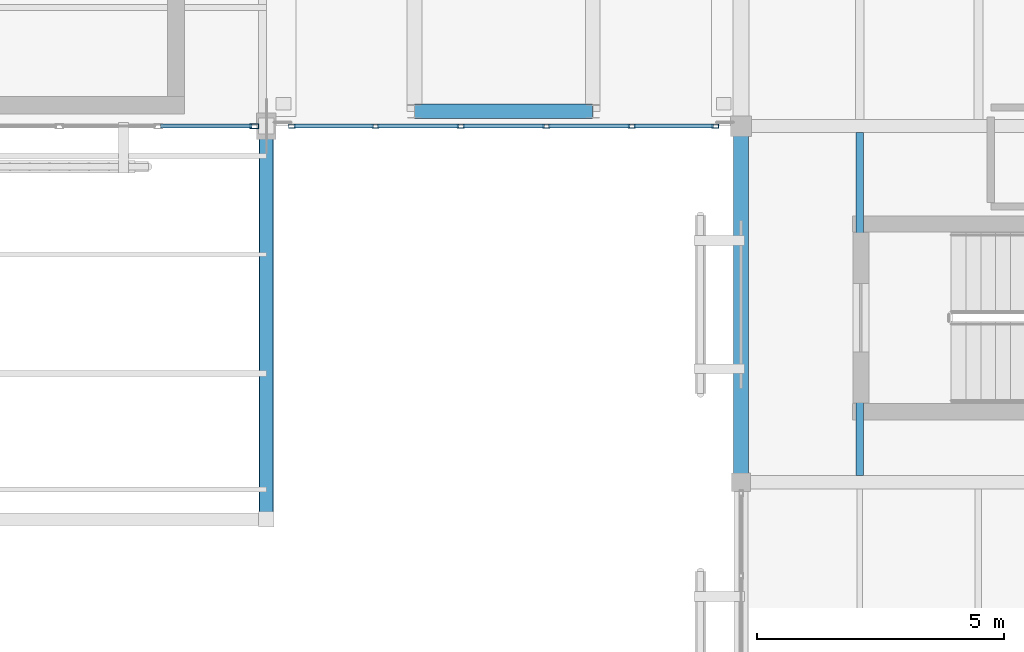
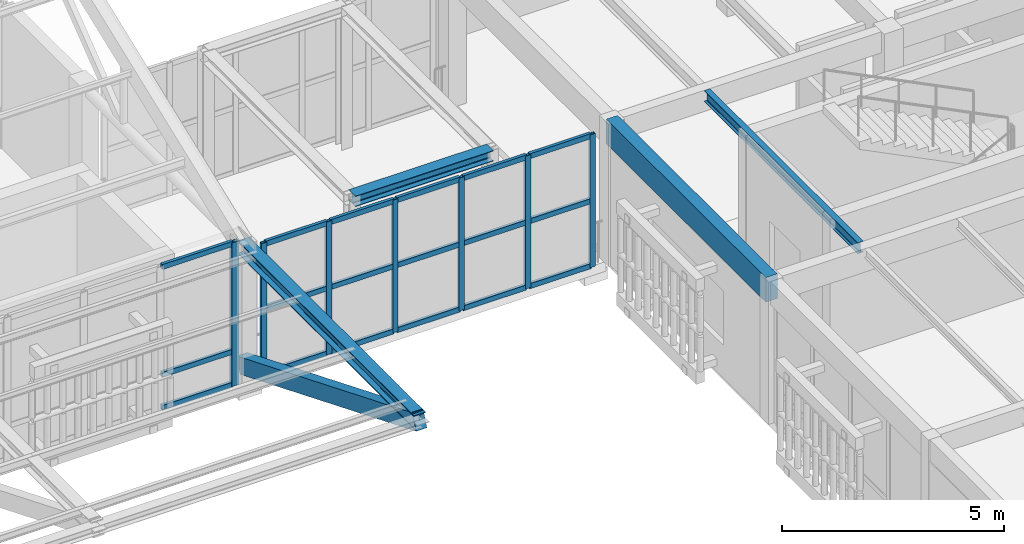
# One storey, part 97 of 217: 27 members, 3 beams, 2 elements without a shape of their own.
"""IFC4 building model written with IfcOpenShell, lengths in metres."""

from ifc_helpers import new_model, si_unit, direction, frame, origin, origin_2d, place, context, subcontext, project, spatial, rectangle, hollow_rectangle, i_section, extrude, material, layer, layer_set, material_profile, profile_set, type_object, element, aggregate, save


model = new_model("IFC4")

# Units and contexts
model_context = context("Model", 3, precision=1e-05, world=origin(), true_north=direction((0.0, 1.0)))
body_context = subcontext(model_context, "Body", "Model", "MODEL_VIEW")
ifc_project = project(units=[si_unit("LENGTHUNIT", "METRE"), si_unit("AREAUNIT", "SQUARE_METRE"), si_unit("VOLUMEUNIT", "CUBIC_METRE"), si_unit("PLANEANGLEUNIT", "RADIAN"), si_unit("MASSUNIT", "GRAM", prefix="KILO")], contexts=[model_context])

# Site, building, storey
site_placement = place(None, origin())
site = spatial("IfcSite", under=ifc_project, at=site_placement, CompositionType="ELEMENT")
building_placement = place(site_placement, origin())
building = spatial("IfcBuilding", under=site, at=building_placement, Name="Mazaris Harbour Polytechnic", CompositionType="ELEMENT")
storey_placement = place(building_placement, frame((0.0, 0.0, 9.60009765625)))
storey = spatial("IfcBuildingStorey", under=building, at=storey_placement, Name="L02", CompositionType="ELEMENT", Elevation=9.60009765625)

# Curtain wall, member
ifc_material_1 = material(Name="Anodised Bronze Aluminium and Low-E Glass", Category="aluminium")
ifc_layer_1 = layer(ifc_material_1, 0.14990234375, Name="Anodised Bronze Aluminium and Low-E Glass")
ifc_layer_set_1 = layer_set([ifc_layer_1], Name="Anodised Bronze Aluminium and Low-E Glass")
curtain_wall_type_1 = type_object("IfcCurtainWallType", Name="Workshop Clerestory Curtain Wall", PredefinedType="NOTDEFINED", material=ifc_layer_set_1)
curtain_wall_1_placement = place(storey_placement, origin())
curtain_wall_1 = element("IfcCurtainWall", 1, at=curtain_wall_1_placement, inside=storey, type_object=curtain_wall_type_1, Name="V1 L02 Curtain Wall 28", PredefinedType="NOTDEFINED")
ifc_material_2 = material(Name="Anodised Bronze Steel S355", Category="steel")
ifc_material_profile_1 = material_profile(ifc_material_2, hollow_rectangle(XDim=0.10009765625, YDim=0.179931640625, WallThickness=0.008056640625, at=origin_2d()), Name="RHS 100x180x8.0")
ifc_profile_set_1 = profile_set([ifc_material_profile_1], Name="Anodised Bronze Steel S355")
member_type_1 = type_object("IfcMemberType", Name="Curtain Mullion RHS100x180", PredefinedType="MULLION", material=ifc_profile_set_1)
member_1_placement = place(storey_placement, frame((112.55810546875, 75.60009765625, 0.0), z_axis=(0.0, 0.0, 1.0), x_axis=(0.0, -1.0, 0.0)))
member_1 = element("IfcMember", 2, at=member_1_placement, type_object=member_type_1, Name="CW-04 mullion 1", PredefinedType="MULLION", context=body_context, shape_type="SweptSolid", body=[
    extrude(hollow_rectangle(XDim=0.10009765625, YDim=0.179931640625, WallThickness=0.008056640625, at=origin_2d()), origin(), (0.0, 0.0, 1.0), 3.9599609375),
])

# Curtain wall, members
ifc_material_3 = material(Name="Anodised Bronze Aluminium and Low-E Glass", Category="aluminium")
ifc_layer_2 = layer(ifc_material_3, 0.139892578125, Name="Anodised Bronze Aluminium and Low-E Glass")
ifc_layer_set_2 = layer_set([ifc_layer_2], Name="Anodised Bronze Aluminium and Low-E Glass")
curtain_wall_type_2 = type_object("IfcCurtainWallType", Name="Seismic Link Bridge Glazing", PredefinedType="NOTDEFINED", material=ifc_layer_set_2)
curtain_wall_2_placement = place(storey_placement, origin())
curtain_wall_2 = element("IfcCurtainWall", 3, at=curtain_wall_2_placement, inside=storey, type_object=curtain_wall_type_2, Name="PB-E2 L02 Bridge Glazing", PredefinedType="NOTDEFINED")
ifc_material_4 = material(Name="Anodised Bronze Steel S355", Category="steel")
ifc_material_profile_2 = material_profile(ifc_material_4, hollow_rectangle(XDim=0.080078125, YDim=0.139892578125, WallThickness=0.00634765625, at=origin_2d()), Name="RHS 80x140x6.3")
ifc_profile_set_2 = profile_set([ifc_material_profile_2], Name="Anodised Bronze Steel S355")
member_type_2 = type_object("IfcMemberType", Name="Curtain Mullion RHS80x140", PredefinedType="MULLION", material=ifc_profile_set_2)
member_2_placement = place(storey_placement, frame((113.320068359375, 75.60009765625, 0.0), z_axis=(0.0, 0.0, 1.0), x_axis=(0.0, 1.0, 0.0)))
member_2 = element("IfcMember", 4, at=member_2_placement, type_object=member_type_2, Name="CW-05 mullion 1", PredefinedType="MULLION", context=body_context, shape_type="SweptSolid", body=[
    extrude(hollow_rectangle(XDim=0.080078125, YDim=0.139892578125, WallThickness=0.00634765625, at=origin_2d()), origin(), (0.0, 0.0, 1.0), 3.659912109375),
])
member_3_placement = place(storey_placement, frame((115.008056640625, 75.60009765625, 0.0), z_axis=(0.0, 0.0, 1.0), x_axis=(0.0, 1.0, 0.0)))
member_3 = element("IfcMember", 5, at=member_3_placement, type_object=member_type_2, Name="CW-05 mullion 2", PredefinedType="MULLION", context=body_context, shape_type="SweptSolid", body=[
    extrude(hollow_rectangle(XDim=0.080078125, YDim=0.139892578125, WallThickness=0.00634765625, at=origin_2d()), origin(), (0.0, 0.0, 1.0), 3.659912109375),
])
member_4_placement = place(storey_placement, frame((116.736083984375, 75.60009765625, 0.0), z_axis=(0.0, 0.0, 1.0), x_axis=(0.0, 1.0, 0.0)))
member_4 = element("IfcMember", 6, at=member_4_placement, type_object=member_type_2, Name="CW-05 mullion 3", PredefinedType="MULLION", context=body_context, shape_type="SweptSolid", body=[
    extrude(hollow_rectangle(XDim=0.080078125, YDim=0.139892578125, WallThickness=0.00634765625, at=origin_2d()), origin(), (0.0, 0.0, 1.0), 3.659912109375),
])
member_5_placement = place(storey_placement, frame((118.464111328125, 75.60009765625, 0.0), z_axis=(0.0, 0.0, 1.0), x_axis=(0.0, 1.0, 0.0)))
member_5 = element("IfcMember", 7, at=member_5_placement, type_object=member_type_2, Name="CW-05 mullion 4", PredefinedType="MULLION", context=body_context, shape_type="SweptSolid", body=[
    extrude(hollow_rectangle(XDim=0.080078125, YDim=0.139892578125, WallThickness=0.00634765625, at=origin_2d()), origin(), (0.0, 0.0, 1.0), 3.659912109375),
])
member_6_placement = place(storey_placement, frame((120.19189453125, 75.60009765625, 0.0), z_axis=(0.0, 0.0, 1.0), x_axis=(0.0, 1.0, 0.0)))
member_6 = element("IfcMember", 8, at=member_6_placement, type_object=member_type_2, Name="CW-05 mullion 5", PredefinedType="MULLION", context=body_context, shape_type="SweptSolid", body=[
    extrude(hollow_rectangle(XDim=0.080078125, YDim=0.139892578125, WallThickness=0.00634765625, at=origin_2d()), origin(), (0.0, 0.0, 1.0), 3.659912109375),
])
member_7_placement = place(storey_placement, frame((121.8798828125, 75.60009765625, 0.0), z_axis=(0.0, 0.0, 1.0), x_axis=(0.0, 1.0, 0.0)))
member_7 = element("IfcMember", 9, at=member_7_placement, type_object=member_type_2, Name="CW-05 mullion 6", PredefinedType="MULLION", context=body_context, shape_type="SweptSolid", body=[
    extrude(hollow_rectangle(XDim=0.080078125, YDim=0.139892578125, WallThickness=0.00634765625, at=origin_2d()), origin(), (0.0, 0.0, 1.0), 3.659912109375),
])

# Member
ifc_material_5 = material(Name="Anodised Bronze Steel S355", Category="steel")
ifc_material_profile_3 = material_profile(ifc_material_5, hollow_rectangle(XDim=0.080078125, YDim=0.139892578125, WallThickness=0.00634765625, at=origin_2d()), Name="RHS 80x140x6.3")
ifc_profile_set_3 = profile_set([ifc_material_profile_3], Name="Anodised Bronze Steel S355")
member_type_3 = type_object("IfcMemberType", Name="Curtain Transom RHS80x140", PredefinedType="USERDEFINED", material=ifc_profile_set_3)
member_8_placement = place(storey_placement, frame((112.508056640625, 75.60009765625, 0.039794921875), z_axis=(-1.0, 0.0, 0.0), x_axis=(0.0, -1.0, 0.0)))
member_8 = element("IfcMember", 10, at=member_8_placement, type_object=member_type_3, Name="CW-04 transom 1.1", ObjectType="TRANSOM", PredefinedType="USERDEFINED", context=body_context, shape_type="SweptSolid", body=[
    extrude(hollow_rectangle(XDim=0.080078125, YDim=0.139892578125, WallThickness=0.00634765625, at=origin_2d()), origin(), (0.0, 0.0, 1.0), 1.846435546875),
])

member_9_placement = place(storey_placement, frame((112.508056640625, 75.60009765625, 0.949951171875), z_axis=(-1.0, 0.0, 0.0), x_axis=(0.0, -1.0, 0.0)))
member_9 = element("IfcMember", 11, at=member_9_placement, type_object=member_type_3, Name="CW-04 transom 1.2", ObjectType="TRANSOM", PredefinedType="USERDEFINED", context=body_context, shape_type="SweptSolid", body=[
    extrude(hollow_rectangle(XDim=0.080078125, YDim=0.139892578125, WallThickness=0.00634765625, at=origin_2d()), origin(), (0.0, 0.0, 1.0), 1.846435546875),
])

member_10_placement = place(storey_placement, frame((112.508056640625, 75.60009765625, 3.919921875), z_axis=(-1.0, 0.0, 0.0), x_axis=(0.0, -1.0, 0.0)))
member_10 = element("IfcMember", 12, at=member_10_placement, type_object=member_type_3, Name="CW-04 transom 1.3", ObjectType="TRANSOM", PredefinedType="USERDEFINED", context=body_context, shape_type="SweptSolid", body=[
    extrude(hollow_rectangle(XDim=0.080078125, YDim=0.139892578125, WallThickness=0.00634765625, at=origin_2d()), origin(), (0.0, 0.0, 1.0), 1.846435546875),
])

aggregate(curtain_wall_1, [member_1, member_8, member_9, member_10])

member_11_placement = place(storey_placement, frame((113.360107421875, 75.60009765625, 0.039794921875), z_axis=(1.0, 0.0, 0.0), x_axis=(0.0, 1.0, 0.0)))
member_11 = element("IfcMember", 13, at=member_11_placement, type_object=member_type_3, Name="CW-05 transom 1.1", ObjectType="TRANSOM", PredefinedType="USERDEFINED", context=body_context, shape_type="SweptSolid", body=[
    extrude(hollow_rectangle(XDim=0.080078125, YDim=0.139892578125, WallThickness=0.00634765625, at=origin_2d()), origin(), (0.0, 0.0, 1.0), 1.60791015625),
])

member_12_placement = place(storey_placement, frame((113.360107421875, 75.60009765625, 1.829833984375), z_axis=(1.0, 0.0, 0.0), x_axis=(0.0, 1.0, 0.0)))
member_12 = element("IfcMember", 14, at=member_12_placement, type_object=member_type_3, Name="CW-05 transom 1.2", ObjectType="TRANSOM", PredefinedType="USERDEFINED", context=body_context, shape_type="SweptSolid", body=[
    extrude(hollow_rectangle(XDim=0.080078125, YDim=0.139892578125, WallThickness=0.00634765625, at=origin_2d()), origin(), (0.0, 0.0, 1.0), 1.60791015625),
])

member_13_placement = place(storey_placement, frame((113.360107421875, 75.60009765625, 3.619873046875), z_axis=(1.0, 0.0, 0.0), x_axis=(0.0, 1.0, 0.0)))
member_13 = element("IfcMember", 15, at=member_13_placement, type_object=member_type_3, Name="CW-05 transom 1.3", ObjectType="TRANSOM", PredefinedType="USERDEFINED", context=body_context, shape_type="SweptSolid", body=[
    extrude(hollow_rectangle(XDim=0.080078125, YDim=0.139892578125, WallThickness=0.00634765625, at=origin_2d()), origin(), (0.0, 0.0, 1.0), 1.60791015625),
])

member_14_placement = place(storey_placement, frame((115.048095703125, 75.60009765625, 0.039794921875), z_axis=(1.0, 0.0, 0.0), x_axis=(0.0, 1.0, 0.0)))
member_14 = element("IfcMember", 16, at=member_14_placement, type_object=member_type_3, Name="CW-05 transom 2.1", ObjectType="TRANSOM", PredefinedType="USERDEFINED", context=body_context, shape_type="SweptSolid", body=[
    extrude(hollow_rectangle(XDim=0.080078125, YDim=0.139892578125, WallThickness=0.00634765625, at=origin_2d()), origin(), (0.0, 0.0, 1.0), 1.64794921875),
])

member_15_placement = place(storey_placement, frame((115.048095703125, 75.60009765625, 1.829833984375), z_axis=(1.0, 0.0, 0.0), x_axis=(0.0, 1.0, 0.0)))
member_15 = element("IfcMember", 17, at=member_15_placement, type_object=member_type_3, Name="CW-05 transom 2.2", ObjectType="TRANSOM", PredefinedType="USERDEFINED", context=body_context, shape_type="SweptSolid", body=[
    extrude(hollow_rectangle(XDim=0.080078125, YDim=0.139892578125, WallThickness=0.00634765625, at=origin_2d()), origin(), (0.0, 0.0, 1.0), 1.64794921875),
])

member_16_placement = place(storey_placement, frame((115.048095703125, 75.60009765625, 3.619873046875), z_axis=(1.0, 0.0, 0.0), x_axis=(0.0, 1.0, 0.0)))
member_16 = element("IfcMember", 18, at=member_16_placement, type_object=member_type_3, Name="CW-05 transom 2.3", ObjectType="TRANSOM", PredefinedType="USERDEFINED", context=body_context, shape_type="SweptSolid", body=[
    extrude(hollow_rectangle(XDim=0.080078125, YDim=0.139892578125, WallThickness=0.00634765625, at=origin_2d()), origin(), (0.0, 0.0, 1.0), 1.64794921875),
])

member_17_placement = place(storey_placement, frame((116.77587890625, 75.60009765625, 0.039794921875), z_axis=(1.0, 0.0, 0.0), x_axis=(0.0, 1.0, 0.0)))
member_17 = element("IfcMember", 19, at=member_17_placement, type_object=member_type_3, Name="CW-05 transom 3.1", ObjectType="TRANSOM", PredefinedType="USERDEFINED", context=body_context, shape_type="SweptSolid", body=[
    extrude(hollow_rectangle(XDim=0.080078125, YDim=0.139892578125, WallThickness=0.00634765625, at=origin_2d()), origin(), (0.0, 0.0, 1.0), 1.648193359375),
])

member_18_placement = place(storey_placement, frame((116.77587890625, 75.60009765625, 1.829833984375), z_axis=(1.0, 0.0, 0.0), x_axis=(0.0, 1.0, 0.0)))
member_18 = element("IfcMember", 20, at=member_18_placement, type_object=member_type_3, Name="CW-05 transom 3.2", ObjectType="TRANSOM", PredefinedType="USERDEFINED", context=body_context, shape_type="SweptSolid", body=[
    extrude(hollow_rectangle(XDim=0.080078125, YDim=0.139892578125, WallThickness=0.00634765625, at=origin_2d()), origin(), (0.0, 0.0, 1.0), 1.648193359375),
])

member_19_placement = place(storey_placement, frame((116.77587890625, 75.60009765625, 3.619873046875), z_axis=(1.0, 0.0, 0.0), x_axis=(0.0, 1.0, 0.0)))
member_19 = element("IfcMember", 21, at=member_19_placement, type_object=member_type_3, Name="CW-05 transom 3.3", ObjectType="TRANSOM", PredefinedType="USERDEFINED", context=body_context, shape_type="SweptSolid", body=[
    extrude(hollow_rectangle(XDim=0.080078125, YDim=0.139892578125, WallThickness=0.00634765625, at=origin_2d()), origin(), (0.0, 0.0, 1.0), 1.648193359375),
])

member_20_placement = place(storey_placement, frame((118.50390625, 75.60009765625, 0.039794921875), z_axis=(1.0, 0.0, 0.0), x_axis=(0.0, 1.0, 0.0)))
member_20 = element("IfcMember", 22, at=member_20_placement, type_object=member_type_3, Name="CW-05 transom 4.1", ObjectType="TRANSOM", PredefinedType="USERDEFINED", context=body_context, shape_type="SweptSolid", body=[
    extrude(hollow_rectangle(XDim=0.080078125, YDim=0.139892578125, WallThickness=0.00634765625, at=origin_2d()), origin(), (0.0, 0.0, 1.0), 1.648193359375),
])

member_21_placement = place(storey_placement, frame((118.50390625, 75.60009765625, 1.829833984375), z_axis=(1.0, 0.0, 0.0), x_axis=(0.0, 1.0, 0.0)))
member_21 = element("IfcMember", 23, at=member_21_placement, type_object=member_type_3, Name="CW-05 transom 4.2", ObjectType="TRANSOM", PredefinedType="USERDEFINED", context=body_context, shape_type="SweptSolid", body=[
    extrude(hollow_rectangle(XDim=0.080078125, YDim=0.139892578125, WallThickness=0.00634765625, at=origin_2d()), origin(), (0.0, 0.0, 1.0), 1.648193359375),
])

member_22_placement = place(storey_placement, frame((118.50390625, 75.60009765625, 3.619873046875), z_axis=(1.0, 0.0, 0.0), x_axis=(0.0, 1.0, 0.0)))
member_22 = element("IfcMember", 24, at=member_22_placement, type_object=member_type_3, Name="CW-05 transom 4.3", ObjectType="TRANSOM", PredefinedType="USERDEFINED", context=body_context, shape_type="SweptSolid", body=[
    extrude(hollow_rectangle(XDim=0.080078125, YDim=0.139892578125, WallThickness=0.00634765625, at=origin_2d()), origin(), (0.0, 0.0, 1.0), 1.648193359375),
])

member_23_placement = place(storey_placement, frame((120.23193359375, 75.60009765625, 0.039794921875), z_axis=(1.0, 0.0, 0.0), x_axis=(0.0, 1.0, 0.0)))
member_23 = element("IfcMember", 25, at=member_23_placement, type_object=member_type_3, Name="CW-05 transom 5.1", ObjectType="TRANSOM", PredefinedType="USERDEFINED", context=body_context, shape_type="SweptSolid", body=[
    extrude(hollow_rectangle(XDim=0.080078125, YDim=0.139892578125, WallThickness=0.00634765625, at=origin_2d()), origin(), (0.0, 0.0, 1.0), 1.608154296875),
])

member_24_placement = place(storey_placement, frame((120.23193359375, 75.60009765625, 1.829833984375), z_axis=(1.0, 0.0, 0.0), x_axis=(0.0, 1.0, 0.0)))
member_24 = element("IfcMember", 26, at=member_24_placement, type_object=member_type_3, Name="CW-05 transom 5.2", ObjectType="TRANSOM", PredefinedType="USERDEFINED", context=body_context, shape_type="SweptSolid", body=[
    extrude(hollow_rectangle(XDim=0.080078125, YDim=0.139892578125, WallThickness=0.00634765625, at=origin_2d()), origin(), (0.0, 0.0, 1.0), 1.608154296875),
])

member_25_placement = place(storey_placement, frame((120.23193359375, 75.60009765625, 3.619873046875), z_axis=(1.0, 0.0, 0.0), x_axis=(0.0, 1.0, 0.0)))
member_25 = element("IfcMember", 27, at=member_25_placement, type_object=member_type_3, Name="CW-05 transom 5.3", ObjectType="TRANSOM", PredefinedType="USERDEFINED", context=body_context, shape_type="SweptSolid", body=[
    extrude(hollow_rectangle(XDim=0.080078125, YDim=0.139892578125, WallThickness=0.00634765625, at=origin_2d()), origin(), (0.0, 0.0, 1.0), 1.608154296875),
])

aggregate(curtain_wall_2, [member_2, member_3, member_4, member_5, member_6, member_7, member_11, member_12, member_13, member_14, member_15, member_16, member_17, member_18, member_19, member_20, member_21, member_22, member_23, member_24, member_25])

# Beam
ifc_material_6 = material(Name="Glulam GL32h", Category="wood")
ifc_material_profile_4 = material_profile(ifc_material_6, rectangle(XDim=0.300048828125, YDim=0.679931640625, at=origin_2d()), Name="RECT300x680")
ifc_profile_set_4 = profile_set([ifc_material_profile_4], Name="Glulam GL32h")
beam_type_1 = type_object("IfcBeamType", Name="Glulam Girder 300x680 Exterior", PredefinedType="BEAM", material=ifc_profile_set_4)
beam_1_placement = place(storey_placement, frame((122.39990234375, 68.39990234375, 3.579833984375), z_axis=(0.0, 1.0, 0.0), x_axis=(-1.0, 0.0, 0.0)))
element("IfcBeam", 28, at=beam_1_placement, inside=storey, type_object=beam_type_1, Name="V5 L02 Tie Girder 3173", PredefinedType="BEAM", context=body_context, shape_type="SweptSolid", body=[
    extrude(rectangle(XDim=0.300048828125, YDim=0.679931640625, at=origin_2d()), origin(), (0.0, 0.0, 1.0), 7.2001953125),
])

# Member
ifc_material_7 = material(Name="Glulam GL32h", Category="wood")
ifc_material_profile_5 = material_profile(ifc_material_7, rectangle(XDim=0.280029296875, YDim=0.43994140625, at=origin_2d()), Name="RECT280x440")
ifc_profile_set_5 = profile_set([ifc_material_profile_5], Name="Glulam GL32h")
member_type_4 = type_object("IfcMemberType", Name="Glulam Raking Strut 280x440", PredefinedType="BRACE", material=ifc_profile_set_5)
member_26_placement = place(storey_placement, frame((112.800048828125, 75.60009765625, 0.5), z_axis=(0.0, -0.925642918598, 0.378398186107), x_axis=(1.0, 0.0, 0.0)))
element("IfcMember", 29, at=member_26_placement, inside=storey, type_object=member_type_4, Name="Truss 8 South Eave Raking Strut", PredefinedType="BRACE", context=body_context, shape_type="SweptSolid", body=[
    extrude(rectangle(XDim=0.280029296875, YDim=0.43994140625, at=origin_2d()), origin(), (0.0, 0.0, 1.0), 8.5888671875),
])

# Beam
ifc_material_8 = material(Name="Steel S355", Category="steel")
ifc_material_profile_6 = material_profile(ifc_material_8, i_section(OverallWidth=0.300048828125, OverallDepth=0.2900390625, WebThickness=0.008544921875, FlangeThickness=0.013916015625, FilletRadius=0.027099609375, at=origin_2d()), Name="HEA 300")
ifc_profile_set_6 = profile_set([ifc_material_profile_6], Name="Steel S355")
beam_type_2 = type_object("IfcBeamType", Name="Steel Beam HEA300 Exterior", PredefinedType="SPANDREL", material=ifc_profile_set_6)
beam_2_placement = place(storey_placement, frame((115.800048828125, 75.89990234375, 3.81494140625), z_axis=(1.0, 0.0, 0.0), x_axis=(0.0, 1.0, 0.0)))
element("IfcBeam", 30, at=beam_2_placement, inside=storey, type_object=beam_type_2, Name="PB-E2 L02 Bridge Beam 3467", PredefinedType="SPANDREL", context=body_context, shape_type="SweptSolid", body=[
    extrude(i_section(OverallWidth=0.300048828125, OverallDepth=0.2900390625, WebThickness=0.008544921875, FlangeThickness=0.013916015625, FilletRadius=0.027099609375, at=origin_2d()), origin(), (0.0, 0.0, 1.0), 3.599853515625),
])

# Member
ifc_material_9 = material(Name="Steel S355", Category="steel")
ifc_material_profile_7 = material_profile(ifc_material_9, i_section(OverallWidth=0.300048828125, OverallDepth=0.360107421875, WebThickness=0.012451171875, FlangeThickness=0.0224609375, FilletRadius=0.027099609375, at=origin_2d()), Name="HEB 360")
ifc_profile_set_7 = profile_set([ifc_material_profile_7], Name="Steel S355")
member_type_5 = type_object("IfcMemberType", Name="Steel Eave Cantilever HEB360", PredefinedType="CHORD", material=ifc_profile_set_7)
member_27_placement = place(storey_placement, frame((112.800048828125, 75.60009765625, 3.75), z_axis=(0.0, -1.0, 0.0), x_axis=(1.0, 0.0, 0.0)))
element("IfcMember", 31, at=member_27_placement, inside=storey, type_object=member_type_5, Name="Truss 8 South Overhanging Eave Chord", PredefinedType="CHORD", context=body_context, shape_type="SweptSolid", body=[
    extrude(i_section(OverallWidth=0.300048828125, OverallDepth=0.360107421875, WebThickness=0.012451171875, FlangeThickness=0.0224609375, FilletRadius=0.027099609375, at=origin_2d()), origin(), (0.0, 0.0, 1.0), 7.9501953125),
])

# Beam
ifc_material_10 = material(Name="Steel S355", Category="steel")
ifc_material_profile_8 = material_profile(ifc_material_10, i_section(OverallWidth=0.14990234375, OverallDepth=0.300048828125, WebThickness=0.007080078125, FlangeThickness=0.0107421875, FilletRadius=0.014892578125, at=origin_2d()), Name="IPE 300")
ifc_profile_set_8 = profile_set([ifc_material_profile_8], Name="Steel S355")
beam_type_3 = type_object("IfcBeamType", Name="Steel Joist IPE300", PredefinedType="JOIST", material=ifc_profile_set_8)
beam_3_placement = place(storey_placement, frame((124.800048828125, 68.5400390625, 3.77001953125), z_axis=(0.0, 1.0, 0.0), x_axis=(-1.0, 0.0, 0.0)))
element("IfcBeam", 32, at=beam_3_placement, inside=storey, type_object=beam_type_3, Name="V5 L02 Floor Joist 3230", PredefinedType="JOIST", context=body_context, shape_type="SweptSolid", body=[
    extrude(i_section(OverallWidth=0.14990234375, OverallDepth=0.300048828125, WebThickness=0.007080078125, FlangeThickness=0.0107421875, FilletRadius=0.014892578125, at=origin_2d()), origin(), (0.0, 0.0, 1.0), 6.929931640625),
])

save(model, "model.ifc")
